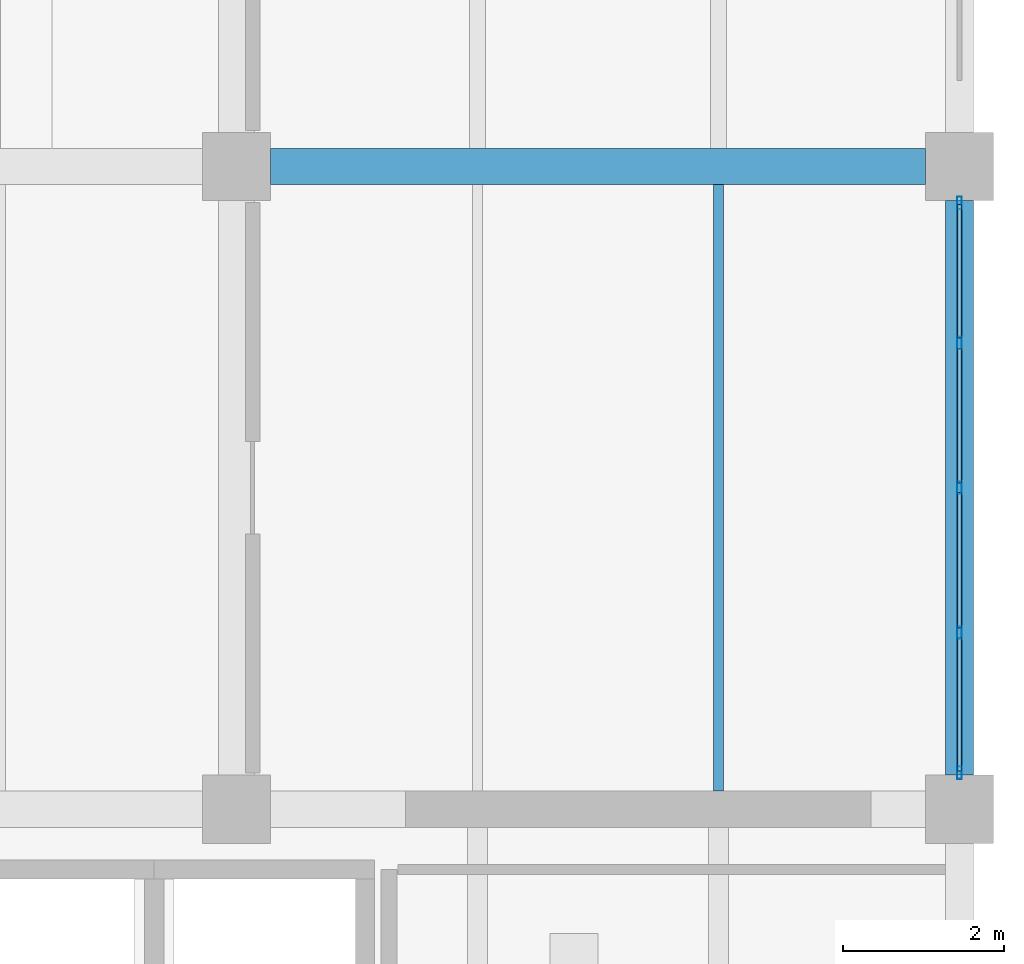
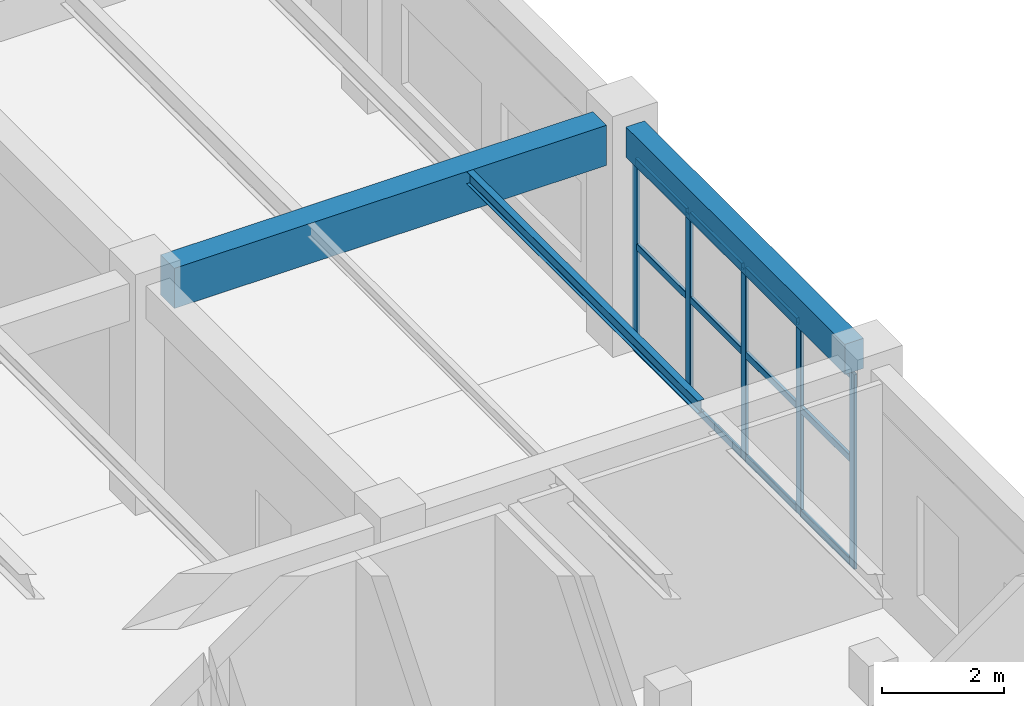
# One storey, part 130 of 178: 17 members, 3 beams, 1 element without a shape of its own.
"""IFC4 building model written with IfcOpenShell, lengths in metres."""

from ifc_helpers import new_model, si_unit, derived_unit, direction, frame, origin, origin_2d, place, context, subcontext, project, spatial, rectangle, hollow_rectangle, i_section, extrude, material, material_profile, profile_set, type_object, element, aggregate, save


model = new_model("IFC4")

# Units and contexts
model_context = context("Model", 3, precision=1e-05, world=origin(), true_north=direction((0.0, 1.0)))
body_context = subcontext(model_context, "Body", "Model", "MODEL_VIEW")
ifc_project = project(units=[si_unit("LENGTHUNIT", "METRE"), si_unit("AREAUNIT", "SQUARE_METRE"), si_unit("VOLUMEUNIT", "CUBIC_METRE"), si_unit("PLANEANGLEUNIT", "RADIAN"), si_unit("MASSUNIT", "GRAM", prefix="KILO"), derived_unit("THERMALTRANSMITTANCEUNIT", [(si_unit("MASSUNIT", "GRAM", prefix="KILO"), 1), (si_unit("TIMEUNIT", "SECOND"), -3), (si_unit("THERMODYNAMICTEMPERATUREUNIT", "KELVIN"), -1)])], contexts=[model_context])

# Site, building, storey
site_placement = place(None, origin())
site = spatial("IfcSite", under=ifc_project, at=site_placement, CompositionType="ELEMENT")
building_placement = place(site_placement, origin())
building = spatial("IfcBuilding", under=site, at=building_placement, Name="Zhenchuan Archway Interchange", CompositionType="ELEMENT")
storey_placement = place(building_placement, frame((0.0, 0.0, 5.39990234375)))
storey = spatial("IfcBuildingStorey", under=building, at=storey_placement, Name="L01", CompositionType="ELEMENT", Elevation=5.39990234375)

# Beam
ifc_material_1 = material(Name="Concrete C40", Category="concrete")
ifc_material_profile_1 = material_profile(ifc_material_1, rectangle(XDim=0.449951171875, YDim=0.800048828125, at=origin_2d()), Name="RC 450x800")
ifc_profile_set_1 = profile_set([ifc_material_profile_1], Name="Concrete C40")
beam_type_1 = type_object("IfcBeamType", Name="BM_RC_450x800", PredefinedType="BEAM", material=ifc_profile_set_1)
beam_1_placement = place(storey_placement, frame((162.425048828125, 72.0, 4.110107421875), z_axis=(1.0, 0.0, 0.0), x_axis=(0.0, 1.0, 0.0)))
element("IfcBeam", 1, at=beam_1_placement, inside=storey, type_object=beam_type_1, Name="Beam K:19-20 (L01)", PredefinedType="BEAM", context=body_context, shape_type="SweptSolid", body=[
    extrude(rectangle(XDim=0.449951171875, YDim=0.800048828125, at=origin_2d()), origin(), (0.0, 0.0, 1.0), 8.14990234375),
])

# Curtain wall, members
ifc_material_2 = material(Name="Anodised Aluminium", Category="aluminium")
curtain_wall_type = type_object("IfcCurtainWallType", Name="CW_UNIT_3", PredefinedType="NOTDEFINED", material=ifc_material_2)
curtain_wall_placement = place(storey_placement, origin())
curtain_wall = element("IfcCurtainWall", 2, at=curtain_wall_placement, inside=storey, type_object=curtain_wall_type, Name="Unitised curtain wall CW:L01:066", PredefinedType="NOTDEFINED")
ifc_material_profile_2 = material_profile(ifc_material_2, hollow_rectangle(XDim=0.06005859375, YDim=0.159912109375, WallThickness=0.00390625, InnerFilletRadius=0.00390625, OuterFilletRadius=0.008056640625, at=origin_2d()), Name="ALU 160x60x4")
ifc_profile_set_2 = profile_set([ifc_material_profile_2], Name="Anodised Aluminium")
member_type_1 = type_object("IfcMemberType", Name="CW_MUL_150", PredefinedType="MULLION", material=ifc_profile_set_2)
member_1_placement = place(storey_placement, frame((171.0, 71.547119140625, 0.0), z_axis=(0.0, 0.0, 1.0), x_axis=(1.0, 0.0, 0.0)))
member_1 = element("IfcMember", 3, at=member_1_placement, type_object=member_type_1, Name="CW:L01:066 mullion 0", PredefinedType="MULLION", context=body_context, shape_type="SweptSolid", body=[
    extrude(hollow_rectangle(XDim=0.06005859375, YDim=0.159912109375, WallThickness=0.00390625, InnerFilletRadius=0.00390625, OuterFilletRadius=0.008056640625, at=origin_2d()), origin(), (0.0, 0.0, 1.0), 3.880126953125),
])
member_2_placement = place(storey_placement, frame((171.0, 69.803466796875, 0.0), z_axis=(0.0, 0.0, 1.0), x_axis=(1.0, 0.0, 0.0)))
member_2 = element("IfcMember", 4, at=member_2_placement, type_object=member_type_1, Name="CW:L01:066 mullion 1", PredefinedType="MULLION", context=body_context, shape_type="SweptSolid", body=[
    extrude(hollow_rectangle(XDim=0.06005859375, YDim=0.159912109375, WallThickness=0.00390625, InnerFilletRadius=0.00390625, OuterFilletRadius=0.008056640625, at=origin_2d()), origin(), (0.0, 0.0, 1.0), 3.880126953125),
])
member_3_placement = place(storey_placement, frame((171.0, 68.0, 0.0), z_axis=(0.0, 0.0, 1.0), x_axis=(1.0, 0.0, 0.0)))
member_3 = element("IfcMember", 5, at=member_3_placement, type_object=member_type_1, Name="CW:L01:066 mullion 2", PredefinedType="MULLION", context=body_context, shape_type="SweptSolid", body=[
    extrude(hollow_rectangle(XDim=0.06005859375, YDim=0.159912109375, WallThickness=0.00390625, InnerFilletRadius=0.00390625, OuterFilletRadius=0.008056640625, at=origin_2d()), origin(), (0.0, 0.0, 1.0), 3.880126953125),
])
member_4_placement = place(storey_placement, frame((171.0, 66.196533203125, 0.0), z_axis=(0.0, 0.0, 1.0), x_axis=(1.0, 0.0, 0.0)))
member_4 = element("IfcMember", 6, at=member_4_placement, type_object=member_type_1, Name="CW:L01:066 mullion 3", PredefinedType="MULLION", context=body_context, shape_type="SweptSolid", body=[
    extrude(hollow_rectangle(XDim=0.06005859375, YDim=0.159912109375, WallThickness=0.00390625, InnerFilletRadius=0.00390625, OuterFilletRadius=0.008056640625, at=origin_2d()), origin(), (0.0, 0.0, 1.0), 3.880126953125),
])
member_5_placement = place(storey_placement, frame((171.0, 64.452880859375, 0.0), z_axis=(0.0, 0.0, 1.0), x_axis=(1.0, 0.0, 0.0)))
member_5 = element("IfcMember", 7, at=member_5_placement, type_object=member_type_1, Name="CW:L01:066 mullion 4", PredefinedType="MULLION", context=body_context, shape_type="SweptSolid", body=[
    extrude(hollow_rectangle(XDim=0.06005859375, YDim=0.159912109375, WallThickness=0.00390625, InnerFilletRadius=0.00390625, OuterFilletRadius=0.008056640625, at=origin_2d()), origin(), (0.0, 0.0, 1.0), 3.880126953125),
])
ifc_material_profile_3 = material_profile(ifc_material_2, hollow_rectangle(XDim=0.06005859375, YDim=0.139892578125, WallThickness=0.00341796875, InnerFilletRadius=0.00341796875, OuterFilletRadius=0.007080078125, at=origin_2d()), Name="ALU 140x60x3.5")
ifc_profile_set_3 = profile_set([ifc_material_profile_3], Name="Anodised Aluminium")
member_type_2 = type_object("IfcMemberType", Name="CW_TRN_140", PredefinedType="USERDEFINED", material=ifc_profile_set_3)
member_6_placement = place(storey_placement, frame((171.0, 71.527099609375, 0.06005859375), z_axis=(0.0, -1.0, 0.0), x_axis=(1.0, 0.0, 0.0)))
member_6 = element("IfcMember", 8, at=member_6_placement, type_object=member_type_2, Name="CW:L01:066 transom 0-1", ObjectType="TRANSOM", PredefinedType="USERDEFINED", context=body_context, shape_type="SweptSolid", body=[
    extrude(hollow_rectangle(XDim=0.06005859375, YDim=0.139892578125, WallThickness=0.00341796875, InnerFilletRadius=0.00341796875, OuterFilletRadius=0.007080078125, at=origin_2d()), origin(), (0.0, 0.0, 1.0), 1.66357421875),
])
member_7_placement = place(storey_placement, frame((171.0, 71.527099609375, 2.123046875), z_axis=(0.0, -1.0, 0.0), x_axis=(1.0, 0.0, 0.0)))
member_7 = element("IfcMember", 9, at=member_7_placement, type_object=member_type_2, Name="CW:L01:066 transom 0-2", ObjectType="TRANSOM", PredefinedType="USERDEFINED", context=body_context, shape_type="SweptSolid", body=[
    extrude(hollow_rectangle(XDim=0.06005859375, YDim=0.139892578125, WallThickness=0.00341796875, InnerFilletRadius=0.00341796875, OuterFilletRadius=0.007080078125, at=origin_2d()), origin(), (0.0, 0.0, 1.0), 1.66357421875),
])
member_8_placement = place(storey_placement, frame((171.0, 71.527099609375, 3.800048828125), z_axis=(0.0, -1.0, 0.0), x_axis=(1.0, 0.0, 0.0)))
member_8 = element("IfcMember", 10, at=member_8_placement, type_object=member_type_2, Name="CW:L01:066 transom 0-3", ObjectType="TRANSOM", PredefinedType="USERDEFINED", context=body_context, shape_type="SweptSolid", body=[
    extrude(hollow_rectangle(XDim=0.06005859375, YDim=0.139892578125, WallThickness=0.00341796875, InnerFilletRadius=0.00341796875, OuterFilletRadius=0.007080078125, at=origin_2d()), origin(), (0.0, 0.0, 1.0), 1.66357421875),
])
member_9_placement = place(storey_placement, frame((171.0, 69.743408203125, 0.06005859375), z_axis=(0.0, -1.0, 0.0), x_axis=(1.0, 0.0, 0.0)))
member_9 = element("IfcMember", 11, at=member_9_placement, type_object=member_type_2, Name="CW:L01:066 transom 1-1", ObjectType="TRANSOM", PredefinedType="USERDEFINED", context=body_context, shape_type="SweptSolid", body=[
    extrude(hollow_rectangle(XDim=0.06005859375, YDim=0.139892578125, WallThickness=0.00341796875, InnerFilletRadius=0.00341796875, OuterFilletRadius=0.007080078125, at=origin_2d()), origin(), (0.0, 0.0, 1.0), 1.683349609375),
])
member_10_placement = place(storey_placement, frame((171.0, 69.743408203125, 2.123046875), z_axis=(0.0, -1.0, 0.0), x_axis=(1.0, 0.0, 0.0)))
member_10 = element("IfcMember", 12, at=member_10_placement, type_object=member_type_2, Name="CW:L01:066 transom 1-2", ObjectType="TRANSOM", PredefinedType="USERDEFINED", context=body_context, shape_type="SweptSolid", body=[
    extrude(hollow_rectangle(XDim=0.06005859375, YDim=0.139892578125, WallThickness=0.00341796875, InnerFilletRadius=0.00341796875, OuterFilletRadius=0.007080078125, at=origin_2d()), origin(), (0.0, 0.0, 1.0), 1.683349609375),
])
member_11_placement = place(storey_placement, frame((171.0, 69.743408203125, 3.800048828125), z_axis=(0.0, -1.0, 0.0), x_axis=(1.0, 0.0, 0.0)))
member_11 = element("IfcMember", 13, at=member_11_placement, type_object=member_type_2, Name="CW:L01:066 transom 1-3", ObjectType="TRANSOM", PredefinedType="USERDEFINED", context=body_context, shape_type="SweptSolid", body=[
    extrude(hollow_rectangle(XDim=0.06005859375, YDim=0.139892578125, WallThickness=0.00341796875, InnerFilletRadius=0.00341796875, OuterFilletRadius=0.007080078125, at=origin_2d()), origin(), (0.0, 0.0, 1.0), 1.683349609375),
])
member_12_placement = place(storey_placement, frame((171.0, 67.93994140625, 0.06005859375), z_axis=(0.0, -1.0, 0.0), x_axis=(1.0, 0.0, 0.0)))
member_12 = element("IfcMember", 14, at=member_12_placement, type_object=member_type_2, Name="CW:L01:066 transom 2-1", ObjectType="TRANSOM", PredefinedType="USERDEFINED", context=body_context, shape_type="SweptSolid", body=[
    extrude(hollow_rectangle(XDim=0.06005859375, YDim=0.139892578125, WallThickness=0.00341796875, InnerFilletRadius=0.00341796875, OuterFilletRadius=0.007080078125, at=origin_2d()), origin(), (0.0, 0.0, 1.0), 1.683349609375),
])
member_13_placement = place(storey_placement, frame((171.0, 67.93994140625, 2.123046875), z_axis=(0.0, -1.0, 0.0), x_axis=(1.0, 0.0, 0.0)))
member_13 = element("IfcMember", 15, at=member_13_placement, type_object=member_type_2, Name="CW:L01:066 transom 2-2", ObjectType="TRANSOM", PredefinedType="USERDEFINED", context=body_context, shape_type="SweptSolid", body=[
    extrude(hollow_rectangle(XDim=0.06005859375, YDim=0.139892578125, WallThickness=0.00341796875, InnerFilletRadius=0.00341796875, OuterFilletRadius=0.007080078125, at=origin_2d()), origin(), (0.0, 0.0, 1.0), 1.683349609375),
])
member_14_placement = place(storey_placement, frame((171.0, 67.93994140625, 3.800048828125), z_axis=(0.0, -1.0, 0.0), x_axis=(1.0, 0.0, 0.0)))
member_14 = element("IfcMember", 16, at=member_14_placement, type_object=member_type_2, Name="CW:L01:066 transom 2-3", ObjectType="TRANSOM", PredefinedType="USERDEFINED", context=body_context, shape_type="SweptSolid", body=[
    extrude(hollow_rectangle(XDim=0.06005859375, YDim=0.139892578125, WallThickness=0.00341796875, InnerFilletRadius=0.00341796875, OuterFilletRadius=0.007080078125, at=origin_2d()), origin(), (0.0, 0.0, 1.0), 1.683349609375),
])
member_15_placement = place(storey_placement, frame((171.0, 66.136474609375, 0.06005859375), z_axis=(0.0, -1.0, 0.0), x_axis=(1.0, 0.0, 0.0)))
member_15 = element("IfcMember", 17, at=member_15_placement, type_object=member_type_2, Name="CW:L01:066 transom 3-1", ObjectType="TRANSOM", PredefinedType="USERDEFINED", context=body_context, shape_type="SweptSolid", body=[
    extrude(hollow_rectangle(XDim=0.06005859375, YDim=0.139892578125, WallThickness=0.00341796875, InnerFilletRadius=0.00341796875, OuterFilletRadius=0.007080078125, at=origin_2d()), origin(), (0.0, 0.0, 1.0), 1.66357421875),
])
member_16_placement = place(storey_placement, frame((171.0, 66.136474609375, 2.123046875), z_axis=(0.0, -1.0, 0.0), x_axis=(1.0, 0.0, 0.0)))
member_16 = element("IfcMember", 18, at=member_16_placement, type_object=member_type_2, Name="CW:L01:066 transom 3-2", ObjectType="TRANSOM", PredefinedType="USERDEFINED", context=body_context, shape_type="SweptSolid", body=[
    extrude(hollow_rectangle(XDim=0.06005859375, YDim=0.139892578125, WallThickness=0.00341796875, InnerFilletRadius=0.00341796875, OuterFilletRadius=0.007080078125, at=origin_2d()), origin(), (0.0, 0.0, 1.0), 1.66357421875),
])
member_17_placement = place(storey_placement, frame((171.0, 66.136474609375, 3.800048828125), z_axis=(0.0, -1.0, 0.0), x_axis=(1.0, 0.0, 0.0)))
member_17 = element("IfcMember", 19, at=member_17_placement, type_object=member_type_2, Name="CW:L01:066 transom 3-3", ObjectType="TRANSOM", PredefinedType="USERDEFINED", context=body_context, shape_type="SweptSolid", body=[
    extrude(hollow_rectangle(XDim=0.06005859375, YDim=0.139892578125, WallThickness=0.00341796875, InnerFilletRadius=0.00341796875, OuterFilletRadius=0.007080078125, at=origin_2d()), origin(), (0.0, 0.0, 1.0), 1.66357421875),
])
aggregate(curtain_wall, [member_1, member_2, member_3, member_4, member_5, member_6, member_7, member_8, member_9, member_10, member_11, member_12, member_13, member_14, member_15, member_16, member_17])

# Beams
ifc_material_3 = material(Name="Steel Q355", Category="steel")
ifc_material_profile_4 = material_profile(ifc_material_3, i_section(OverallWidth=0.125, OverallDepth=0.25, WebThickness=0.006103515625, FlangeThickness=0.009033203125, FilletRadius=0.011962890625, at=origin_2d()), Name="HN 250x125")
ifc_profile_set_4 = profile_set([ifc_material_profile_4], Name="Steel Q355")
beam_type_2 = type_object("IfcBeamType", Name="JST_STL_HN250", PredefinedType="JOIST", material=ifc_profile_set_4)
beam_2_placement = place(storey_placement, frame((168.0, 64.22509765625, 4.385009765625), z_axis=(0.0, 1.0, 0.0), x_axis=(-1.0, 0.0, 0.0)))
element("IfcBeam", 20, at=beam_2_placement, inside=storey, type_object=beam_type_2, Name="Secondary joist 19-20/J-K #2 (L01)", PredefinedType="JOIST", context=body_context, shape_type="SweptSolid", body=[
    extrude(i_section(OverallWidth=0.125, OverallDepth=0.25, WebThickness=0.006103515625, FlangeThickness=0.009033203125, FilletRadius=0.011962890625, at=origin_2d()), origin(), (0.0, 0.0, 1.0), 7.5498046875),
])
ifc_material_profile_5 = material_profile(ifc_material_1, rectangle(XDim=0.35009765625, YDim=0.60009765625, at=origin_2d()), Name="RC 350x600")
ifc_profile_set_5 = profile_set([ifc_material_profile_5], Name="Concrete C40")
beam_type_3 = type_object("IfcBeamType", Name="SP_RC_350x600", PredefinedType="SPANDREL", material=ifc_profile_set_5)
beam_3_placement = place(storey_placement, frame((171.0, 64.425048828125, 4.210205078125), z_axis=(0.0, 1.0, 0.0), x_axis=(-1.0, 0.0, 0.0)))
element("IfcBeam", 21, at=beam_3_placement, inside=storey, type_object=beam_type_3, Name="Beam 20:J-K (L01)", PredefinedType="SPANDREL", context=body_context, shape_type="SweptSolid", body=[
    extrude(rectangle(XDim=0.35009765625, YDim=0.60009765625, at=origin_2d()), origin(), (0.0, 0.0, 1.0), 7.14990234375),
])

save(model, "model.ifc")
